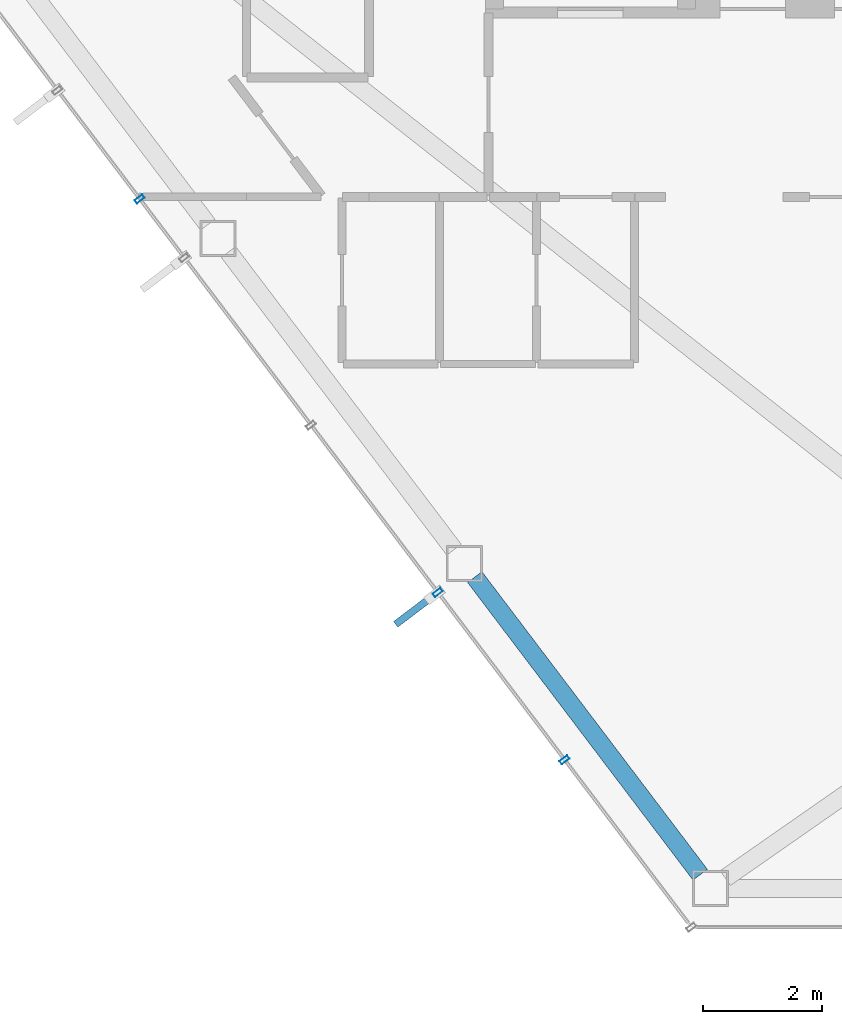
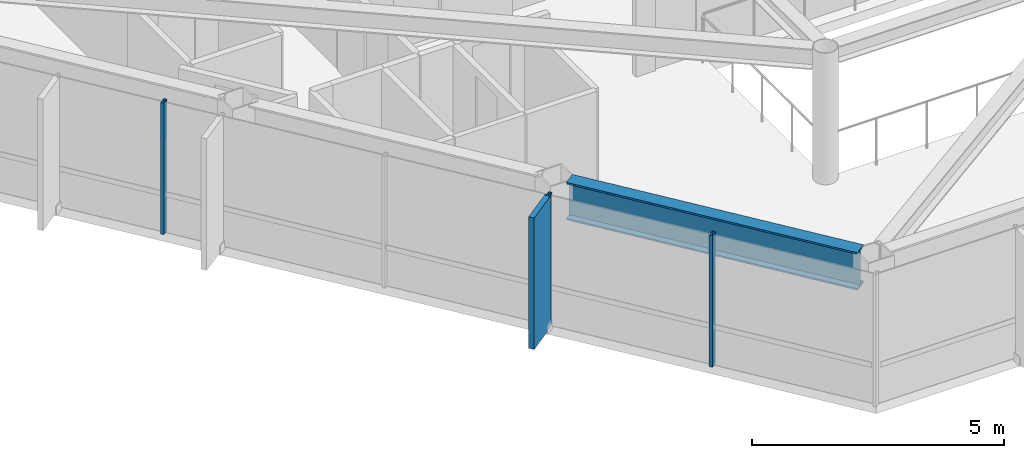
# One storey, part 2 of 25: 4 members, 1 beam, 1 element without a shape of its own.
"""IFC4 building model written with IfcOpenShell, lengths in metres."""

from ifc_helpers import new_model, si_unit, direction, frame, origin, origin_2d, place, context, subcontext, project, spatial, rectangle, hollow_rectangle, i_section, extrude, material, layer, layer_set, material_profile, profile_set, type_object, element, aggregate, save


model = new_model("IFC4")

# Units and contexts
model_context = context("Model", 3, precision=1e-05, world=origin(), true_north=direction((0.0, 1.0)))
body_context = subcontext(model_context, "Body", "Model", "MODEL_VIEW")
ifc_project = project(units=[si_unit("LENGTHUNIT", "METRE"), si_unit("AREAUNIT", "SQUARE_METRE"), si_unit("VOLUMEUNIT", "CUBIC_METRE"), si_unit("PLANEANGLEUNIT", "RADIAN"), si_unit("MASSUNIT", "GRAM", prefix="KILO")], contexts=[model_context])

# Site, building, storey
site_placement = place(None, origin())
site = spatial("IfcSite", under=ifc_project, at=site_placement, CompositionType="ELEMENT")
building_placement = place(site_placement, origin())
building = spatial("IfcBuilding", under=site, at=building_placement, Name="Zarrinselat Tower", CompositionType="ELEMENT")
storey_placement = place(building_placement, frame((0.0, 0.0, 208.760009765625)))
storey = spatial("IfcBuildingStorey", under=building, at=storey_placement, Name="L51", CompositionType="ELEMENT", Elevation=208.760009765625)

# Beam
ifc_material_1 = material(Name="Steel S460M", Category="steel")
ifc_material_profile_1 = material_profile(ifc_material_1, i_section(OverallWidth=0.302001953125, OverallDepth=0.909912109375, WebThickness=0.02099609375, FlangeThickness=0.0400390625, at=origin_2d()), Name="HEM 900")
ifc_profile_set_1 = profile_set([ifc_material_profile_1], Name="Steel S460M")
beam_type = type_object("IfcBeamType", Name="BM-HEM900", PredefinedType="BEAM", material=ifc_profile_set_1)
beam_placement = place(storey_placement, frame((28.32177734375, 23.777587890625, 2.72509765625), z_axis=(0.603844917099, -0.797101822914, 0.0), x_axis=(0.797101822914, 0.603844917099, 0.0)))
element("IfcBeam", 1, at=beam_placement, inside=storey, type_object=beam_type, Name="L51 Perimeter Spandrel Girder SP09", PredefinedType="BEAM", context=body_context, shape_type="SweptSolid", body=[
    extrude(i_section(OverallWidth=0.302001953125, OverallDepth=0.909912109375, WebThickness=0.02099609375, FlangeThickness=0.0400390625, at=origin_2d()), origin(), (0.0, 0.0, 1.0), 6.257080078125),
])

# Curtain wall, members
ifc_material_2 = material(Name="Extruded Aluminium Alloy EN AW-6063 T6", Category="aluminium")
ifc_layer = layer(ifc_material_2, 0.169921875)
ifc_layer_set = layer_set([ifc_layer], Name="Extruded Aluminium Alloy EN AW-6063 T6")
curtain_wall_type = type_object("IfcCurtainWallType", Name="CWS-RES", PredefinedType="NOTDEFINED", material=ifc_layer_set)
curtain_wall_placement = place(storey_placement, origin())
curtain_wall = element("IfcCurtainWall", 2, at=curtain_wall_placement, inside=storey, type_object=curtain_wall_type, Name="L51 Unitised Curtain Wall CW-L51-E03", PredefinedType="NOTDEFINED")
ifc_material_3 = material(Name="Extruded Aluminium Alloy EN AW-6063 T6", Category="aluminium")
ifc_material_profile_2 = material_profile(ifc_material_3, hollow_rectangle(XDim=0.070068359375, YDim=0.159912109375, WallThickness=0.00390625, at=origin_2d()), Name="RHS 160x70x4")
ifc_profile_set_2 = profile_set([ifc_material_profile_2], Name="Extruded Aluminium Alloy EN AW-6063 T6")
member_type_1 = type_object("IfcMemberType", Name="MEM-CW-MUL2", PredefinedType="MULLION", material=ifc_profile_set_2)
member_1_placement = place(storey_placement, frame((22.7060546875, 30.11376953125, 0.0), z_axis=(0.0, 0.0, 1.0), x_axis=(0.603858850791, -0.797091267247, 0.0)))
member_1 = element("IfcMember", 3, at=member_1_placement, type_object=member_type_1, Name="CW-L51-E03 Mullion 4", PredefinedType="MULLION", context=body_context, shape_type="SweptSolid", body=[
    extrude(hollow_rectangle(XDim=0.070068359375, YDim=0.159912109375, WallThickness=0.00390625, at=origin_2d()), origin(), (0.0, 0.0, 1.0), 3.179931640625),
])
member_2_placement = place(storey_placement, frame((27.70166015625, 23.51953125, 0.0), z_axis=(0.0, 0.0, 1.0), x_axis=(0.603858850791, -0.797091267247, 0.0)))
member_2 = element("IfcMember", 4, at=member_2_placement, type_object=member_type_1, Name="CW-L51-E03 Mullion 7", PredefinedType="MULLION", context=body_context, shape_type="SweptSolid", body=[
    extrude(hollow_rectangle(XDim=0.070068359375, YDim=0.159912109375, WallThickness=0.00390625, at=origin_2d()), origin(), (0.0, 0.0, 1.0), 3.179931640625),
])
member_3_placement = place(storey_placement, frame((29.826416015625, 20.715087890625, 0.0), z_axis=(0.0, 0.0, 1.0), x_axis=(0.603858850791, -0.797091267247, 0.0)))
member_3 = element("IfcMember", 5, at=member_3_placement, type_object=member_type_1, Name="CW-L51-E03 Mullion 8", PredefinedType="MULLION", context=body_context, shape_type="SweptSolid", body=[
    extrude(hollow_rectangle(XDim=0.070068359375, YDim=0.159912109375, WallThickness=0.00390625, at=origin_2d()), origin(), (0.0, 0.0, 1.0), 3.179931640625),
])
ifc_material_4 = material(Name="Honed Cream Travertine Stone", Category="masonry")
ifc_material_profile_3 = material_profile(ifc_material_4, rectangle(XDim=0.1201171875, YDim=0.85009765625, at=origin_2d()), Name="FIN 850x120")
ifc_profile_set_3 = profile_set([ifc_material_profile_3], Name="Honed Cream Travertine Stone")
member_type_2 = type_object("IfcMemberType", Name="MEM-STONE-FIN", PredefinedType="USERDEFINED", material=ifc_profile_set_3)
member_4_placement = place(storey_placement, frame((27.3349609375, 23.24169921875, 0.0), z_axis=(0.0, 0.0, 1.0), x_axis=(-0.603858850791, 0.797091267247, 0.0)))
member_4 = element("IfcMember", 6, at=member_4_placement, type_object=member_type_2, Name="L51 Stone Shading Fin CW-L51-E03-07", ObjectType="FIN", PredefinedType="USERDEFINED", context=body_context, shape_type="SweptSolid", body=[
    extrude(rectangle(XDim=0.1201171875, YDim=0.85009765625, at=origin_2d()), origin(), (0.0, 0.0, 1.0), 3.179931640625),
])
aggregate(curtain_wall, [member_1, member_2, member_4, member_3])

save(model, "model.ifc")
